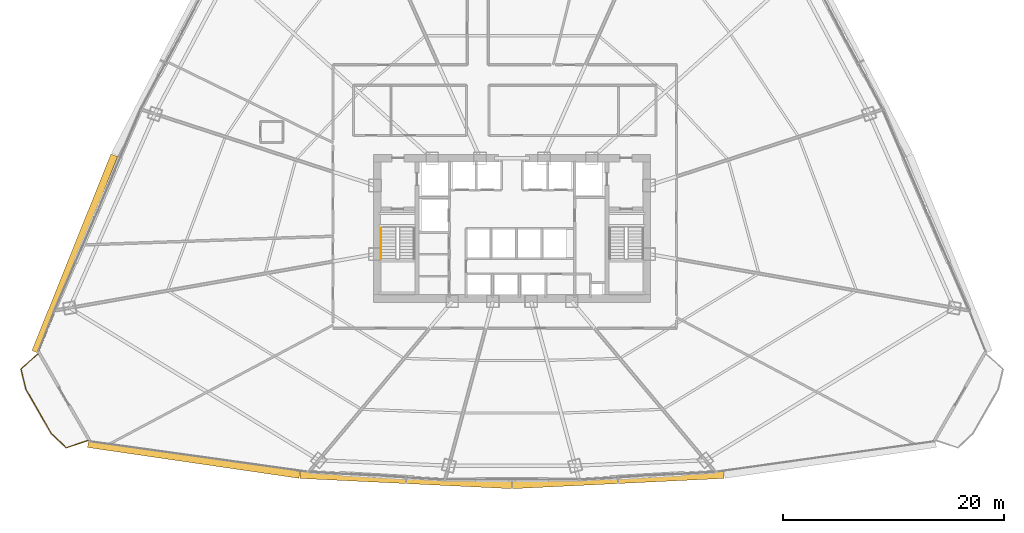
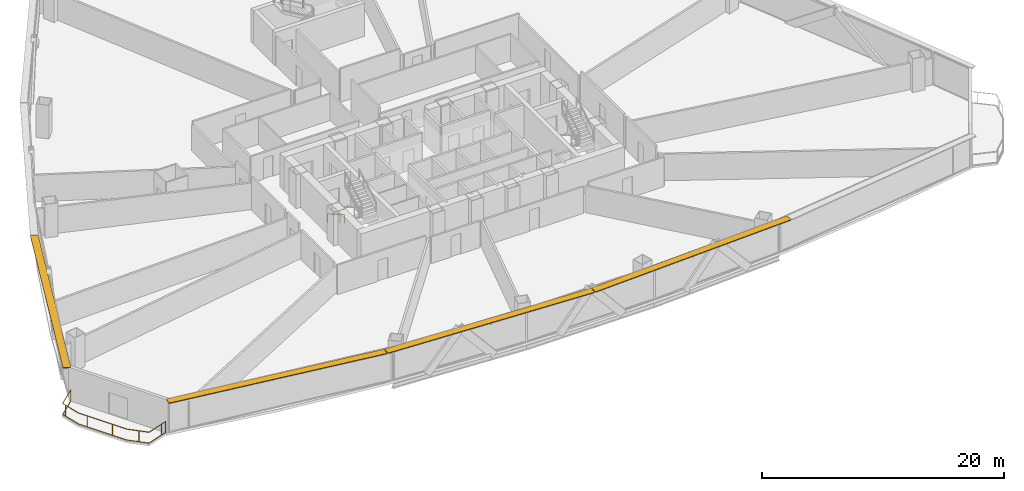
# One storey, part 34 of 37: 4 shading devices, 2 railings.
"""IFC4 building model written with IfcOpenShell, lengths in metres."""

from ifc_helpers import new_model, si_unit, direction, frame, origin, origin_2d, place, context, subcontext, project, spatial, rectangle, extrude, source, transform, mapped, material, layer, layer_set, type_object, element, save


model = new_model("IFC4")

# Units and contexts
model_context = context("Model", 3, precision=1e-05, world=origin(), true_north=direction((0.0, 1.0)))
body_context = subcontext(model_context, "Body", "Model", "MODEL_VIEW")
ifc_project = project(units=[si_unit("LENGTHUNIT", "METRE"), si_unit("AREAUNIT", "SQUARE_METRE"), si_unit("VOLUMEUNIT", "CUBIC_METRE"), si_unit("PLANEANGLEUNIT", "RADIAN"), si_unit("MASSUNIT", "GRAM", prefix="KILO"), si_unit("THERMODYNAMICTEMPERATUREUNIT", "KELVIN"), si_unit("POWERUNIT", "WATT")], contexts=[model_context])

# Site, building, storey
site_placement = place(None, origin())
site = spatial("IfcSite", under=ifc_project, at=site_placement, CompositionType="ELEMENT")
building_placement = place(site_placement, origin())
building = spatial("IfcBuilding", under=site, at=building_placement, Name="Yunzhuo Pagoda Commons", CompositionType="ELEMENT")
storey_placement = place(building_placement, frame((0.0, 0.0, 52.179931640625)))
storey = spatial("IfcBuildingStorey", under=building, at=storey_placement, Name="L13", CompositionType="ELEMENT", Elevation=52.179931640625)

# Railings
ifc_material = material(Name="Anodized aluminium 6063-T6", Category="aluminium")
railing_type_1 = type_object("IfcRailingType", Name="HR-ST1 Stair Handrail 900", PredefinedType="HANDRAIL", material=ifc_material)
railing_1_placement = place(storey_placement, frame((36.14990234375, 33.89990234375, 0.1650390625)))
element("IfcRailing", 1, at=railing_1_placement, inside=storey, type_object=railing_type_1, Name="L13 ST1 stair handrail 1", PredefinedType="HANDRAIL", context=body_context, shape_type="SweptSolid", body=[
    extrude(rectangle(XDim=0.048095703125, YDim=0.048095703125, at=origin_2d()), frame((0.0, 0.0, 0.8759765625), z_axis=(0.0, -0.861503254194, 0.507752048753), x_axis=(1.0, 0.0, 0.0)), (0.0, 0.0, 1.0), 3.25),
    extrude(rectangle(XDim=0.0419921875, YDim=0.0419921875, at=origin_2d()), origin(), (0.0, 0.0, 1.0), 0.851806640625),
    extrude(rectangle(XDim=0.0419921875, YDim=0.0419921875, at=origin_2d()), frame((0.0, -2.067626953125, 1.218505859375)), (0.0, 0.0, 1.0), 0.851806640625),
    extrude(rectangle(XDim=0.0419921875, YDim=0.0419921875, at=origin_2d()), frame((0.0, -2.7998046875, 1.650146484375)), (0.0, 0.0, 1.0), 0.851806640625),
])
railing_type_2 = type_object("IfcRailingType", Name="RL-BAL1 Exterior Terrace & Balcony Balustrade 1150", PredefinedType="BALUSTRADE", material=ifc_material)
railing_2_placement = place(storey_placement, frame((5.08544921875, 22.47705078125, 0.0)))
element("IfcRailing", 2, at=railing_2_placement, inside=storey, type_object=railing_type_2, Name="L13 corner balcony balustrade V1", PredefinedType="BALUSTRADE", context=body_context, shape_type="SweptSolid", body=[
    extrude(rectangle(XDim=0.048095703125, YDim=0.048095703125, at=origin_2d()), frame((0.0, 0.0, 1.1259765625), z_axis=(-0.753933830692, -0.656950362614, 0.0), x_axis=(0.656950362614, -0.753933830692, 0.0)), (0.0, 0.0, 1.0), 2.05908203125),
    extrude(rectangle(XDim=0.048095703125, YDim=0.048095703125, at=origin_2d()), frame((0.0, 0.0, 0.02392578125), z_axis=(-0.753933830692, -0.656950362614, 0.0), x_axis=(0.656950362614, -0.753933830692, 0.0)), (0.0, 0.0, 1.0), 2.05908203125),
    extrude(rectangle(XDim=0.048095703125, YDim=0.048095703125, at=origin_2d()), frame((-1.552490234375, -1.352783203125, 1.1259765625), z_axis=(0.235684758319, -0.971829560518, 0.0), x_axis=(0.971829560518, 0.235684758319, 0.0)), (0.0, 0.0, 1.0), 1.896728515625),
    extrude(rectangle(XDim=0.048095703125, YDim=0.048095703125, at=origin_2d()), frame((-1.552490234375, -1.352783203125, 0.02392578125), z_axis=(0.235684758319, -0.971829560518, 0.0), x_axis=(0.971829560518, 0.235684758319, 0.0)), (0.0, 0.0, 1.0), 1.896728515625),
    extrude(rectangle(XDim=0.048095703125, YDim=0.048095703125, at=origin_2d()), frame((-1.10546875, -3.196044921875, 1.1259765625), z_axis=(0.497931801723, -0.867216190366, 0.0), x_axis=(0.867216190366, 0.497931801723, 0.0)), (0.0, 0.0, 1.0), 4.60205078125),
    extrude(rectangle(XDim=0.048095703125, YDim=0.048095703125, at=origin_2d()), frame((-1.10546875, -3.196044921875, 0.02392578125), z_axis=(0.497931801723, -0.867216190366, 0.0), x_axis=(0.867216190366, 0.497931801723, 0.0)), (0.0, 0.0, 1.0), 4.60205078125),
    extrude(rectangle(XDim=0.048095703125, YDim=0.048095703125, at=origin_2d()), frame((1.18603515625, -7.18701171875, 1.1259765625), z_axis=(0.720429774389, -0.693527894302, 0.0), x_axis=(0.693527894302, 0.720429774389, 0.0)), (0.0, 0.0, 1.0), 1.896728515625),
    extrude(rectangle(XDim=0.048095703125, YDim=0.048095703125, at=origin_2d()), frame((1.18603515625, -7.18701171875, 0.02392578125), z_axis=(0.720429774389, -0.693527894302, 0.0), x_axis=(0.693527894302, 0.720429774389, 0.0)), (0.0, 0.0, 1.0), 1.896728515625),
    extrude(rectangle(XDim=0.048095703125, YDim=0.048095703125, at=origin_2d()), frame((2.552490234375, -8.50244140625, 1.1259765625), z_axis=(0.947395259337, 0.320065965992, 0.0), x_axis=(-0.320065965992, 0.947395259337, 0.0)), (0.0, 0.0, 1.0), 2.0595703125),
    extrude(rectangle(XDim=0.048095703125, YDim=0.048095703125, at=origin_2d()), frame((2.552490234375, -8.50244140625, 0.02392578125), z_axis=(0.947395259337, 0.320065965992, 0.0), x_axis=(-0.320065965992, 0.947395259337, 0.0)), (0.0, 0.0, 1.0), 2.0595703125),
    extrude(rectangle(XDim=0.0419921875, YDim=0.0419921875, at=origin_2d()), origin(), (0.0, 0.0, 1.0), 1.101806640625),
    extrude(rectangle(XDim=0.0419921875, YDim=0.0419921875, at=origin_2d()), frame((-1.47216796875, -1.68408203125, 0.0)), (0.0, 0.0, 1.0), 1.101806640625),
    extrude(rectangle(XDim=0.0419921875, YDim=0.0419921875, at=origin_2d()), frame((-0.68505859375, -3.927978515625, 0.0)), (0.0, 0.0, 1.0), 1.101806640625),
    extrude(rectangle(XDim=0.0419921875, YDim=0.0419921875, at=origin_2d()), frame((0.509765625, -6.009521484375, 0.0)), (0.0, 0.0, 1.0), 1.101806640625),
    extrude(rectangle(XDim=0.0419921875, YDim=0.0419921875, at=origin_2d()), frame((1.936767578125, -7.90966796875, 0.0)), (0.0, 0.0, 1.0), 1.101806640625),
    extrude(rectangle(XDim=0.0419921875, YDim=0.0419921875, at=origin_2d()), frame((4.0166015625, -8.0078125, 0.0)), (0.0, 0.0, 1.0), 1.101806640625),
    extrude(rectangle(XDim=0.0419921875, YDim=0.0419921875, at=origin_2d()), frame((4.503662109375, -7.84326171875, 0.0)), (0.0, 0.0, 1.0), 1.101806640625),
])

# Shading devices
ifc_layer = layer(ifc_material, 0.080078125)
ifc_layer_set = layer_set([ifc_layer], Name="Anodized aluminium 6063-T6")
shading_device_type = type_object("IfcShadingDeviceType", Name="SH-SUN1 Pagoda Horizontal Sunshade Eave 650", PredefinedType="USERDEFINED", material=ifc_layer_set)
shared_shape_1 = source(origin(), body_context, "Body", "SweptSolid", [
    extrude(rectangle(XDim=19.34912109375, YDim=0.64990234375, at=origin_2d()), origin(), (0.0, 0.0, 1.0), 0.080078125),
])
shading_device_1_placement = place(storey_placement, frame((19.18701171875, 12.926513671875, 3.2900390625), z_axis=(0.0, 0.0, 1.0), x_axis=(0.989510666697, -0.144459823108, 0.0)))
element("IfcShadingDevice", 3, at=shading_device_1_placement, inside=storey, type_object=shading_device_type, Name="L13 horizontal pagoda sunshade eave F1.1", ObjectType="SUNSHADE", PredefinedType="USERDEFINED", context=body_context, shape_type="MappedRepresentation", body=[
    mapped(shared_shape_1, transform((0.0, 0.0, 0.0), scale=1.0)),
])
shared_shape_2 = source(origin(), body_context, "Body", "SweptSolid", [
    extrude(rectangle(XDim=19.168212890625, YDim=0.64990234375, at=origin_2d()), origin(), (0.0, 0.0, 1.0), 0.080078125),
])
for number, where, z_axis, x_axis, name in (
    (4, (38.3955078125, 11.056884765625, 3.2900390625), (0.0, 0.0, 1.0), (0.998818043775, -0.04860571396, 0.0), "L13 horizontal pagoda sunshade eave F1.2"),
    (5, (57.6044921875, 11.056884765625, 3.2900390625), (0.0, 0.0, 1.0), (0.998818043775, 0.04860571396, 0.0), "L13 horizontal pagoda sunshade eave F1.3"),
):
    element("IfcShadingDevice", number, at=place(storey_placement, frame(where, z_axis=z_axis, x_axis=x_axis)), inside=storey, type_object=shading_device_type, Name=name, ObjectType="SUNSHADE", PredefinedType="USERDEFINED", context=body_context, shape_type="MappedRepresentation", body=[
        mapped(shared_shape_2, transform((0.0, 0.0, 0.0), scale=1.0)),
    ])
shared_shape_3 = source(origin(), body_context, "Body", "SweptSolid", [
    extrude(rectangle(XDim=19.193603515625, YDim=0.64990234375, at=origin_2d()), origin(), (0.0, 0.0, 1.0), 0.080078125),
])
shading_device_2_placement = place(storey_placement, frame((8.409912109375, 31.55859375, 3.2900390625), z_axis=(0.0, 0.0, 1.0), x_axis=(-0.372987782576, -0.927836253899, 0.0)))
element("IfcShadingDevice", 6, at=shading_device_2_placement, inside=storey, type_object=shading_device_type, Name="L13 horizontal pagoda sunshade eave F3.4", ObjectType="SUNSHADE", PredefinedType="USERDEFINED", context=body_context, shape_type="MappedRepresentation", body=[
    mapped(shared_shape_3, transform((0.0, 0.0, 0.0), scale=1.0)),
])

save(model, "model.ifc")
